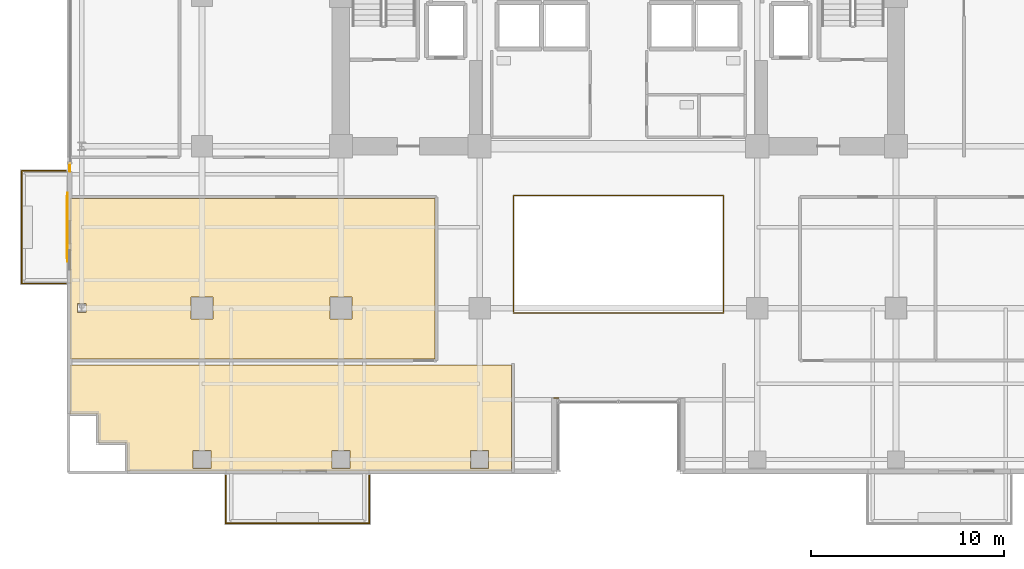
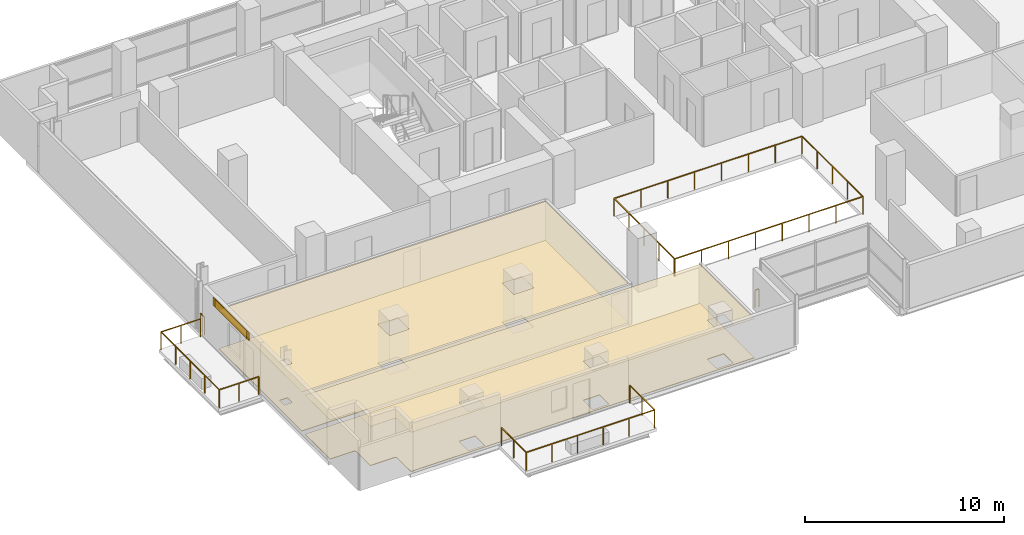
# One storey, part 28 of 31: 5 coverings, 5 railings, 1 shading device.
"""IFC4 building model written with IfcOpenShell, lengths in metres."""

from ifc_helpers import new_model, si_unit, direction, frame, origin, origin_2d, place, context, subcontext, project, spatial, polyline, rectangle, outline, extrude, source, transform, mapped, material, layer, layer_set, type_object, element, save


model = new_model("IFC4")

# Units and contexts
model_context = context("Model", 3, precision=1e-05, world=origin(), true_north=direction((0.0, 1.0)))
body_context = subcontext(model_context, "Body", "Model", "MODEL_VIEW")
ifc_project = project(units=[si_unit("LENGTHUNIT", "METRE"), si_unit("AREAUNIT", "SQUARE_METRE"), si_unit("VOLUMEUNIT", "CUBIC_METRE"), si_unit("PLANEANGLEUNIT", "RADIAN"), si_unit("MASSUNIT", "GRAM", prefix="KILO")], contexts=[model_context])

# Site, building, storey
site_placement = place(None, origin())
site = spatial("IfcSite", under=ifc_project, at=site_placement, CompositionType="ELEMENT")
building_placement = place(site_placement, origin())
building = spatial("IfcBuilding", under=site, at=building_placement, Name="Zarnakvel Exchange Tower", CompositionType="ELEMENT")
storey_placement = place(building_placement, frame((0.0, 0.0, 60.39990234375)))
storey = spatial("IfcBuildingStorey", under=building, at=storey_placement, Name="L16", CompositionType="ELEMENT", Elevation=60.39990234375)

# Coverings
ifc_material_1 = material(Name="Perforated Bronze Acoustic Metal Ceiling", Category="aluminium")
ifc_layer_1 = layer(ifc_material_1, 0.02001953125)
ifc_layer_set_1 = layer_set([ifc_layer_1], Name="Perforated Bronze Acoustic Metal Ceiling")
covering_type_1 = type_object("IfcCoveringType", Name="CLG-01", PredefinedType="CEILING", material=ifc_layer_set_1)
covering_1_placement = place(storey_placement, frame((0.0, 0.0, 2.405029296875)))
element("IfcCovering", 1, at=covering_1_placement, inside=storey, type_object=covering_type_1, Name="L16 Suspended Acoustic Ceiling (Commodities Dealing Room)", PredefinedType="CEILING", context=body_context, shape_type="SweptSolid", body=[
    extrude(outline(polyline([(-28.449951171875, -3.909912109375), (-9.510009765625, -3.909912109375), (-9.510009765625, -12.239990234375), (-28.449951171875, -12.239990234375), (-28.449951171875, -3.909912109375)]), holes=[polyline([(-13.830078125, -10.169921875), (-13.830078125, -9.030029296875), (-14.969970703125, -9.030029296875), (-14.969970703125, -10.169921875), (-13.830078125, -10.169921875)]), polyline([(-21.030029296875, -10.169921875), (-21.030029296875, -9.030029296875), (-22.169921875, -9.030029296875), (-22.169921875, -10.169921875), (-21.030029296875, -10.169921875)]), polyline([(-28.075927734375, -9.83251953125), (-27.6240234375, -9.83251953125), (-27.6240234375, -9.367431640625), (-28.075927734375, -9.367431640625), (-28.075927734375, -9.83251953125)])]), origin(), (0.0, 0.0, 1.0), 0.02001953125),
])
covering_2_placement = place(storey_placement, frame((0.0, 0.0, 2.405029296875)))
element("IfcCovering", 2, at=covering_2_placement, inside=storey, type_object=covering_type_1, Name="L16 Suspended Acoustic Ceiling (Commodities Dealing Room)", PredefinedType="CEILING", context=body_context, shape_type="SweptSolid", body=[
    extrude(outline(polyline([(-5.56005859375, -12.56005859375), (-5.56005859375, -18.050048828125), (-25.47998046875, -18.050048828125), (-25.47998046875, -16.699951171875), (-25.48046875, -16.688232421875), (-25.482421875, -16.676513671875), (-25.485107421875, -16.665283203125), (-25.489013671875, -16.654052734375), (-25.494140625, -16.643310546875), (-25.500244140625, -16.63330078125), (-25.50732421875, -16.623779296875), (-25.51513671875, -16.615234375), (-25.52392578125, -16.607177734375), (-25.533447265625, -16.600341796875), (-25.54345703125, -16.59423828125), (-25.55419921875, -16.589111328125), (-25.565185546875, -16.585205078125), (-25.57666015625, -16.582275390625), (-25.588134765625, -16.58056640625), (-25.60009765625, -16.580078125), (-26.97998046875, -16.580078125), (-26.97998046875, -15.199951171875), (-26.98046875, -15.188232421875), (-26.982421875, -15.176513671875), (-26.985107421875, -15.165283203125), (-26.989013671875, -15.154052734375), (-26.994140625, -15.143310546875), (-27.000244140625, -15.13330078125), (-27.00732421875, -15.123779296875), (-27.01513671875, -15.115234375), (-27.02392578125, -15.107177734375), (-27.033447265625, -15.100341796875), (-27.04345703125, -15.09423828125), (-27.05419921875, -15.089111328125), (-27.065185546875, -15.085205078125), (-27.07666015625, -15.082275390625), (-27.088134765625, -15.08056640625), (-27.10009765625, -15.080078125), (-28.449951171875, -15.080078125), (-28.449951171875, -12.56005859375), (-5.56005859375, -12.56005859375)]), holes=[polyline([(-6.72998046875, -17.919921875), (-6.72998046875, -16.97998046875), (-7.669921875, -16.97998046875), (-7.669921875, -17.919921875), (-6.72998046875, -17.919921875)]), polyline([(-13.929931640625, -17.919921875), (-13.929931640625, -16.97998046875), (-14.8701171875, -16.97998046875), (-14.8701171875, -17.919921875), (-13.929931640625, -17.919921875)]), polyline([(-21.1298828125, -17.919921875), (-21.1298828125, -16.97998046875), (-22.070068359375, -16.97998046875), (-22.070068359375, -17.919921875), (-21.1298828125, -17.919921875)])]), origin(), (0.0, 0.0, 1.0), 0.02001953125),
])
ifc_material_2 = material(Name="Heavy-Duty Raised Access Floor Panel", Category="steel")
ifc_layer_2 = layer(ifc_material_2, 0.034912109375)
ifc_layer_set_2 = layer_set([ifc_layer_2], Name="Heavy-Duty Raised Access Floor Panel")
covering_type_2 = type_object("IfcCoveringType", Name="FLR-02", PredefinedType="FLOORING", material=ifc_layer_set_2)
covering_3_placement = place(storey_placement, origin())
element("IfcCovering", 3, at=covering_3_placement, inside=storey, type_object=covering_type_2, Name="L16 Floor Finish (Commodities Dealing Room)", PredefinedType="FLOORING", context=body_context, shape_type="SweptSolid", body=[
    extrude(outline(polyline([(-28.449951171875, -3.909912109375), (-9.510009765625, -3.909912109375), (-9.510009765625, -12.239990234375), (-28.449951171875, -12.239990234375), (-28.449951171875, -3.909912109375)]), holes=[polyline([(-13.830078125, -10.169921875), (-13.830078125, -9.030029296875), (-14.969970703125, -9.030029296875), (-14.969970703125, -10.169921875), (-13.830078125, -10.169921875)]), polyline([(-21.030029296875, -10.169921875), (-21.030029296875, -9.030029296875), (-22.169921875, -9.030029296875), (-22.169921875, -10.169921875), (-21.030029296875, -10.169921875)]), polyline([(-28.075927734375, -9.83251953125), (-27.6240234375, -9.83251953125), (-27.6240234375, -9.367431640625), (-28.075927734375, -9.367431640625), (-28.075927734375, -9.83251953125)])]), origin(), (0.0, 0.0, 1.0), 0.03515625),
])
covering_4_placement = place(storey_placement, origin())
element("IfcCovering", 4, at=covering_4_placement, inside=storey, type_object=covering_type_2, Name="L16 Floor Finish (Commodities Dealing Room)", PredefinedType="FLOORING", context=body_context, shape_type="SweptSolid", body=[
    extrude(outline(polyline([(-5.56005859375, -12.56005859375), (-5.56005859375, -18.050048828125), (-25.47998046875, -18.050048828125), (-25.47998046875, -16.699951171875), (-25.48046875, -16.688232421875), (-25.482421875, -16.676513671875), (-25.485107421875, -16.665283203125), (-25.489013671875, -16.654052734375), (-25.494140625, -16.643310546875), (-25.500244140625, -16.63330078125), (-25.50732421875, -16.623779296875), (-25.51513671875, -16.615234375), (-25.52392578125, -16.607177734375), (-25.533447265625, -16.600341796875), (-25.54345703125, -16.59423828125), (-25.55419921875, -16.589111328125), (-25.565185546875, -16.585205078125), (-25.57666015625, -16.582275390625), (-25.588134765625, -16.58056640625), (-25.60009765625, -16.580078125), (-26.97998046875, -16.580078125), (-26.97998046875, -15.199951171875), (-26.98046875, -15.188232421875), (-26.982421875, -15.176513671875), (-26.985107421875, -15.165283203125), (-26.989013671875, -15.154052734375), (-26.994140625, -15.143310546875), (-27.000244140625, -15.13330078125), (-27.00732421875, -15.123779296875), (-27.01513671875, -15.115234375), (-27.02392578125, -15.107177734375), (-27.033447265625, -15.100341796875), (-27.04345703125, -15.09423828125), (-27.05419921875, -15.089111328125), (-27.065185546875, -15.085205078125), (-27.07666015625, -15.082275390625), (-27.088134765625, -15.08056640625), (-27.10009765625, -15.080078125), (-28.449951171875, -15.080078125), (-28.449951171875, -12.56005859375), (-5.56005859375, -12.56005859375)]), holes=[polyline([(-6.72998046875, -17.919921875), (-6.72998046875, -16.97998046875), (-7.669921875, -16.97998046875), (-7.669921875, -17.919921875), (-6.72998046875, -17.919921875)]), polyline([(-13.929931640625, -17.919921875), (-13.929931640625, -16.97998046875), (-14.8701171875, -16.97998046875), (-14.8701171875, -17.919921875), (-13.929931640625, -17.919921875)]), polyline([(-21.1298828125, -17.919921875), (-21.1298828125, -16.97998046875), (-22.070068359375, -16.97998046875), (-22.070068359375, -17.919921875), (-21.1298828125, -17.919921875)])]), origin(), (0.0, 0.0, 1.0), 0.03515625),
])

# Railings
ifc_material_3 = material(Name="Architectural Bronze Anodised Aluminium", Category="aluminium")
railing_type_1 = type_object("IfcRailingType", Name="GR-02", PredefinedType="GUARDRAIL", material=ifc_material_3)
railing_1_placement = place(storey_placement, frame((-20.3701171875, -18.280029296875, -0.034912109375)))
element("IfcRailing", 5, at=railing_1_placement, inside=storey, type_object=railing_type_1, Name="L16 Balcony Guardrail BAL-L16-SW", PredefinedType="GUARDRAIL", context=body_context, shape_type="SweptSolid", body=[
    extrude(rectangle(XDim=0.048095703125, YDim=0.048095703125, at=origin_2d()), frame((0.0, 0.0, 1.09619140625), z_axis=(0.0, -1.0, 0.0), x_axis=(1.0, 0.0, 0.0)), (0.0, 0.0, 1.0), 2.489990234375),
    extrude(rectangle(XDim=0.048095703125, YDim=0.048095703125, at=origin_2d()), frame((0.0, -2.489990234375, 1.09619140625), z_axis=(1.0, 0.0, 0.0), x_axis=(0.0, 1.0, 0.0)), (0.0, 0.0, 1.0), 7.440185546875),
    extrude(rectangle(XDim=0.048095703125, YDim=0.048095703125, at=origin_2d()), frame((7.440185546875, -2.489990234375, 1.09619140625), z_axis=(0.0, 1.0, 0.0), x_axis=(-1.0, 0.0, 0.0)), (0.0, 0.0, 1.0), 2.489990234375),
    extrude(rectangle(XDim=0.0419921875, YDim=0.0419921875, at=origin_2d()), origin(), (0.0, 0.0, 1.0), 1.072021484375),
    extrude(rectangle(XDim=0.0419921875, YDim=0.0419921875, at=origin_2d()), frame((0.0, -1.2451171875, 0.0)), (0.0, 0.0, 1.0), 1.072021484375),
    extrude(rectangle(XDim=0.0419921875, YDim=0.0419921875, at=origin_2d()), frame((0.0, -2.489990234375, 0.0)), (0.0, 0.0, 1.0), 1.072021484375),
    extrude(rectangle(XDim=0.0419921875, YDim=0.0419921875, at=origin_2d()), frame((1.488037109375, -2.489990234375, 0.0)), (0.0, 0.0, 1.0), 1.072021484375),
    extrude(rectangle(XDim=0.0419921875, YDim=0.0419921875, at=origin_2d()), frame((2.97607421875, -2.489990234375, 0.0)), (0.0, 0.0, 1.0), 1.072021484375),
    extrude(rectangle(XDim=0.0419921875, YDim=0.0419921875, at=origin_2d()), frame((4.464111328125, -2.489990234375, 0.0)), (0.0, 0.0, 1.0), 1.072021484375),
    extrude(rectangle(XDim=0.0419921875, YDim=0.0419921875, at=origin_2d()), frame((5.9521484375, -2.489990234375, 0.0)), (0.0, 0.0, 1.0), 1.072021484375),
    extrude(rectangle(XDim=0.0419921875, YDim=0.0419921875, at=origin_2d()), frame((7.440185546875, -2.489990234375, 0.0)), (0.0, 0.0, 1.0), 1.072021484375),
    extrude(rectangle(XDim=0.0419921875, YDim=0.0419921875, at=origin_2d()), frame((7.440185546875, -1.2451171875, 0.0)), (0.0, 0.0, 1.0), 1.072021484375),
    extrude(rectangle(XDim=0.0419921875, YDim=0.0419921875, at=origin_2d()), frame((7.440185546875, 0.0, 0.0)), (0.0, 0.0, 1.0), 1.072021484375),
])
railing_2_placement = place(storey_placement, frame((-28.679931640625, -8.320068359375, -0.034912109375)))
element("IfcRailing", 6, at=railing_2_placement, inside=storey, type_object=railing_type_1, Name="L16 Balcony Guardrail BAL-L16-W", PredefinedType="GUARDRAIL", context=body_context, shape_type="SweptSolid", body=[
    extrude(rectangle(XDim=0.048095703125, YDim=0.048095703125, at=origin_2d()), frame((0.0, 0.0, 1.09619140625), z_axis=(-1.0, 0.0, 0.0), x_axis=(0.0, -1.0, 0.0)), (0.0, 0.0, 1.0), 2.2900390625),
    extrude(rectangle(XDim=0.048095703125, YDim=0.048095703125, at=origin_2d()), frame((-2.2900390625, 0.0, 1.09619140625), z_axis=(0.0, 1.0, 0.0), x_axis=(-1.0, 0.0, 0.0)), (0.0, 0.0, 1.0), 5.840087890625),
    extrude(rectangle(XDim=0.048095703125, YDim=0.048095703125, at=origin_2d()), frame((-2.2900390625, 5.840087890625, 1.09619140625), z_axis=(1.0, 0.0, 0.0), x_axis=(0.0, 1.0, 0.0)), (0.0, 0.0, 1.0), 2.2900390625),
    extrude(rectangle(XDim=0.0419921875, YDim=0.0419921875, at=origin_2d()), origin(), (0.0, 0.0, 1.0), 1.072021484375),
    extrude(rectangle(XDim=0.0419921875, YDim=0.0419921875, at=origin_2d()), frame((-1.14501953125, 0.0, 0.0)), (0.0, 0.0, 1.0), 1.072021484375),
    extrude(rectangle(XDim=0.0419921875, YDim=0.0419921875, at=origin_2d()), frame((-2.2900390625, 0.0, 0.0)), (0.0, 0.0, 1.0), 1.072021484375),
    extrude(rectangle(XDim=0.0419921875, YDim=0.0419921875, at=origin_2d()), frame((-2.2900390625, 1.4599609375, 0.0)), (0.0, 0.0, 1.0), 1.072021484375),
    extrude(rectangle(XDim=0.0419921875, YDim=0.0419921875, at=origin_2d()), frame((-2.2900390625, 2.919921875, 0.0)), (0.0, 0.0, 1.0), 1.072021484375),
    extrude(rectangle(XDim=0.0419921875, YDim=0.0419921875, at=origin_2d()), frame((-2.2900390625, 4.380126953125, 0.0)), (0.0, 0.0, 1.0), 1.072021484375),
    extrude(rectangle(XDim=0.0419921875, YDim=0.0419921875, at=origin_2d()), frame((-2.2900390625, 5.840087890625, 0.0)), (0.0, 0.0, 1.0), 1.072021484375),
    extrude(rectangle(XDim=0.0419921875, YDim=0.0419921875, at=origin_2d()), frame((-1.14501953125, 5.840087890625, 0.0)), (0.0, 0.0, 1.0), 1.072021484375),
    extrude(rectangle(XDim=0.0419921875, YDim=0.0419921875, at=origin_2d()), frame((0.0, 5.840087890625, 0.0)), (0.0, 0.0, 1.0), 1.072021484375),
])
railing_3_placement = place(storey_placement, frame((-28.4599609375, -2.5, 0.0)))
element("IfcRailing", 7, at=railing_3_placement, inside=storey, type_object=railing_type_1, Name="L16 Corner Spandrel Balustrade #2", PredefinedType="GUARDRAIL", context=body_context, shape_type="SweptSolid", body=[
    extrude(rectangle(XDim=0.048095703125, YDim=0.048095703125, at=origin_2d()), frame((0.0, 0.0, 1.09619140625), z_axis=(0.0, 1.0, 0.0), x_axis=(-1.0, 0.0, 0.0)), (0.0, 0.0, 1.0), 0.39990234375),
    extrude(rectangle(XDim=0.0419921875, YDim=0.0419921875, at=origin_2d()), origin(), (0.0, 0.0, 1.0), 1.072021484375),
    extrude(rectangle(XDim=0.0419921875, YDim=0.0419921875, at=origin_2d()), frame((0.0, 0.39990234375, 0.0)), (0.0, 0.0, 1.0), 1.072021484375),
])
railing_4_placement = place(storey_placement, frame((-3.1201171875, -14.260009765625, 0.0)))
element("IfcRailing", 8, at=railing_4_placement, inside=storey, type_object=railing_type_1, Name="L16 Corner Spandrel Balustrade #19", PredefinedType="GUARDRAIL", context=body_context, shape_type="SweptSolid", body=[
    extrude(rectangle(XDim=0.048095703125, YDim=0.048095703125, at=origin_2d()), frame((0.0, 0.0, 1.09619140625), z_axis=(-1.0, 0.0, 0.0), x_axis=(0.0, -1.0, 0.0)), (0.0, 0.0, 1.0), 0.219970703125),
    extrude(rectangle(XDim=0.0419921875, YDim=0.0419921875, at=origin_2d()), origin(), (0.0, 0.0, 1.0), 1.072021484375),
    extrude(rectangle(XDim=0.0419921875, YDim=0.0419921875, at=origin_2d()), frame((-0.219970703125, 0.0, 0.0)), (0.0, 0.0, 1.0), 1.072021484375),
])
railing_type_2 = type_object("IfcRailingType", Name="GR-03", PredefinedType="GUARDRAIL", material=ifc_material_3)
railing_5_placement = place(storey_placement, frame((-5.449951171875, -9.85009765625, 0.0)))
element("IfcRailing", 9, at=railing_5_placement, inside=storey, type_object=railing_type_2, Name="L16 Atrium Void Perimeter Balustrade", PredefinedType="GUARDRAIL", context=body_context, shape_type="SweptSolid", body=[
    extrude(rectangle(XDim=0.048095703125, YDim=0.048095703125, at=origin_2d()), frame((0.0, 0.0, 1.076171875), z_axis=(1.0, 0.0, 0.0), x_axis=(0.0, 1.0, 0.0)), (0.0, 0.0, 1.0), 10.89990234375),
    extrude(rectangle(XDim=0.048095703125, YDim=0.048095703125, at=origin_2d()), frame((10.89990234375, 0.0, 1.076171875), z_axis=(0.0, 1.0, 0.0), x_axis=(-1.0, 0.0, 0.0)), (0.0, 0.0, 1.0), 6.10009765625),
    extrude(rectangle(XDim=0.048095703125, YDim=0.048095703125, at=origin_2d()), frame((10.89990234375, 6.10009765625, 1.076171875), z_axis=(-1.0, 0.0, 0.0), x_axis=(0.0, -1.0, 0.0)), (0.0, 0.0, 1.0), 10.89990234375),
    extrude(rectangle(XDim=0.048095703125, YDim=0.048095703125, at=origin_2d()), frame((0.0, 6.10009765625, 1.076171875), z_axis=(0.0, -1.0, 0.0), x_axis=(1.0, 0.0, 0.0)), (0.0, 0.0, 1.0), 6.02001953125),
    extrude(rectangle(XDim=0.0419921875, YDim=0.0419921875, at=origin_2d()), origin(), (0.0, 0.0, 1.0), 1.052001953125),
    extrude(rectangle(XDim=0.0419921875, YDim=0.0419921875, at=origin_2d()), frame((1.55712890625, 0.0, 0.0)), (0.0, 0.0, 1.0), 1.052001953125),
    extrude(rectangle(XDim=0.0419921875, YDim=0.0419921875, at=origin_2d()), frame((3.1142578125, 0.0, 0.0)), (0.0, 0.0, 1.0), 1.052001953125),
    extrude(rectangle(XDim=0.0419921875, YDim=0.0419921875, at=origin_2d()), frame((4.67138671875, 0.0, 0.0)), (0.0, 0.0, 1.0), 1.052001953125),
    extrude(rectangle(XDim=0.0419921875, YDim=0.0419921875, at=origin_2d()), frame((6.228515625, 0.0, 0.0)), (0.0, 0.0, 1.0), 1.052001953125),
    extrude(rectangle(XDim=0.0419921875, YDim=0.0419921875, at=origin_2d()), frame((7.78564453125, 0.0, 0.0)), (0.0, 0.0, 1.0), 1.052001953125),
    extrude(rectangle(XDim=0.0419921875, YDim=0.0419921875, at=origin_2d()), frame((9.3427734375, 0.0, 0.0)), (0.0, 0.0, 1.0), 1.052001953125),
    extrude(rectangle(XDim=0.0419921875, YDim=0.0419921875, at=origin_2d()), frame((10.89990234375, 0.0, 0.0)), (0.0, 0.0, 1.0), 1.052001953125),
    extrude(rectangle(XDim=0.0419921875, YDim=0.0419921875, at=origin_2d()), frame((10.89990234375, 1.52490234375, 0.0)), (0.0, 0.0, 1.0), 1.052001953125),
    extrude(rectangle(XDim=0.0419921875, YDim=0.0419921875, at=origin_2d()), frame((10.89990234375, 3.050048828125, 0.0)), (0.0, 0.0, 1.0), 1.052001953125),
    extrude(rectangle(XDim=0.0419921875, YDim=0.0419921875, at=origin_2d()), frame((10.89990234375, 4.5751953125, 0.0)), (0.0, 0.0, 1.0), 1.052001953125),
    extrude(rectangle(XDim=0.0419921875, YDim=0.0419921875, at=origin_2d()), frame((10.89990234375, 6.10009765625, 0.0)), (0.0, 0.0, 1.0), 1.052001953125),
    extrude(rectangle(XDim=0.0419921875, YDim=0.0419921875, at=origin_2d()), frame((9.3427734375, 6.10009765625, 0.0)), (0.0, 0.0, 1.0), 1.052001953125),
    extrude(rectangle(XDim=0.0419921875, YDim=0.0419921875, at=origin_2d()), frame((7.78564453125, 6.10009765625, 0.0)), (0.0, 0.0, 1.0), 1.052001953125),
    extrude(rectangle(XDim=0.0419921875, YDim=0.0419921875, at=origin_2d()), frame((6.228515625, 6.10009765625, 0.0)), (0.0, 0.0, 1.0), 1.052001953125),
    extrude(rectangle(XDim=0.0419921875, YDim=0.0419921875, at=origin_2d()), frame((4.67138671875, 6.10009765625, 0.0)), (0.0, 0.0, 1.0), 1.052001953125),
    extrude(rectangle(XDim=0.0419921875, YDim=0.0419921875, at=origin_2d()), frame((3.1142578125, 6.10009765625, 0.0)), (0.0, 0.0, 1.0), 1.052001953125),
    extrude(rectangle(XDim=0.0419921875, YDim=0.0419921875, at=origin_2d()), frame((1.55712890625, 6.10009765625, 0.0)), (0.0, 0.0, 1.0), 1.052001953125),
    extrude(rectangle(XDim=0.0419921875, YDim=0.0419921875, at=origin_2d()), frame((0.0, 6.10009765625, 0.0)), (0.0, 0.0, 1.0), 1.052001953125),
    extrude(rectangle(XDim=0.0419921875, YDim=0.0419921875, at=origin_2d()), frame((0.0, 4.59521484375, 0.0)), (0.0, 0.0, 1.0), 1.052001953125),
    extrude(rectangle(XDim=0.0419921875, YDim=0.0419921875, at=origin_2d()), frame((0.0, 3.090087890625, 0.0)), (0.0, 0.0, 1.0), 1.052001953125),
    extrude(rectangle(XDim=0.0419921875, YDim=0.0419921875, at=origin_2d()), frame((0.0, 1.5849609375, 0.0)), (0.0, 0.0, 1.0), 1.052001953125),
    extrude(rectangle(XDim=0.0419921875, YDim=0.0419921875, at=origin_2d()), frame((0.0, 0.080078125, 0.0)), (0.0, 0.0, 1.0), 1.052001953125),
])

# Shading device
ifc_material_4 = material(Name="Perforated Architectural Bronze Screen", Category="aluminium")
ifc_layer_3 = layer(ifc_material_4, 0.044921875)
ifc_layer_set_3 = layer_set([ifc_layer_3], Name="Perforated Architectural Bronze Screen")
shading_device_type = type_object("IfcShadingDeviceType", Name="SS-01", PredefinedType="JALOUSIE", material=ifc_layer_set_3)
shared_shape_1 = source(origin(), body_context, "Body", "SweptSolid", [
    extrude(rectangle(XDim=3.199951171875, YDim=0.044921875, at=origin_2d()), origin(), (0.0, 0.0, 1.0), 0.4951171875),
])
shading_device_placement = place(storey_placement, frame((-28.6005859375, -5.39990234375, 2.56005859375), z_axis=(0.0, 0.0, 1.0), x_axis=(0.0, 1.0, 0.0)))
element("IfcShadingDevice", 10, at=shading_device_placement, inside=storey, type_object=shading_device_type, Name="L16 Bronze Solar Shading Screen SS-01", PredefinedType="JALOUSIE", context=body_context, shape_type="MappedRepresentation", body=[
    mapped(shared_shape_1, transform((0.0, 0.0, 0.0), x_axis=(1.0, 0.0, 0.0), y_axis=(0.0, 1.0, 0.0), z_axis=(0.0, 0.0, 1.0), scale=1.0)),
])

# Covering
ifc_material_5 = material(Name="Glazed Turquoise Ceramic Architectural Tile", Category="ceramic")
ifc_layer_4 = layer(ifc_material_5, 0.028076171875)
ifc_layer_set_4 = layer_set([ifc_layer_4], Name="Glazed Turquoise Ceramic Architectural Tile")
covering_type_3 = type_object("IfcCoveringType", Name="CL-01", PredefinedType="CLADDING", material=ifc_layer_set_4)
shared_shape_2 = source(origin(), body_context, "Body", "SweptSolid", [
    extrude(rectangle(XDim=3.60009765625, YDim=0.028076171875, at=origin_2d()), origin(), (0.0, 0.0, 1.0), 0.4951171875),
])
covering_5_placement = place(storey_placement, frame((-28.592041015625, -5.39990234375, 2.56005859375), z_axis=(0.0, 0.0, 1.0), x_axis=(0.0, 1.0, 0.0)))
element("IfcCovering", 11, at=covering_5_placement, inside=storey, type_object=covering_type_3, Name="L16 Ceramic Spandrel Tilework CL-01", PredefinedType="CLADDING", context=body_context, shape_type="MappedRepresentation", body=[
    mapped(shared_shape_2, transform((0.0, 0.0, 0.0), x_axis=(1.0, 0.0, 0.0), y_axis=(0.0, 1.0, 0.0), z_axis=(0.0, 0.0, 1.0), scale=1.0)),
])

save(model, "model.ifc")
